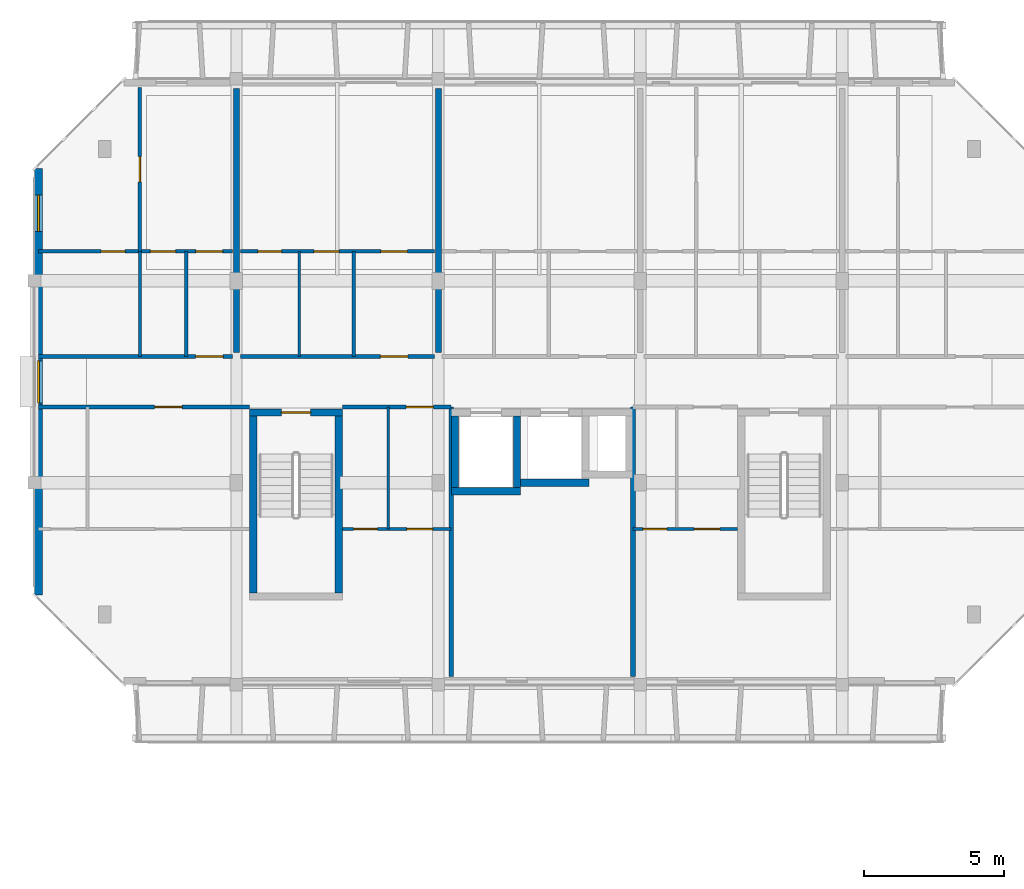
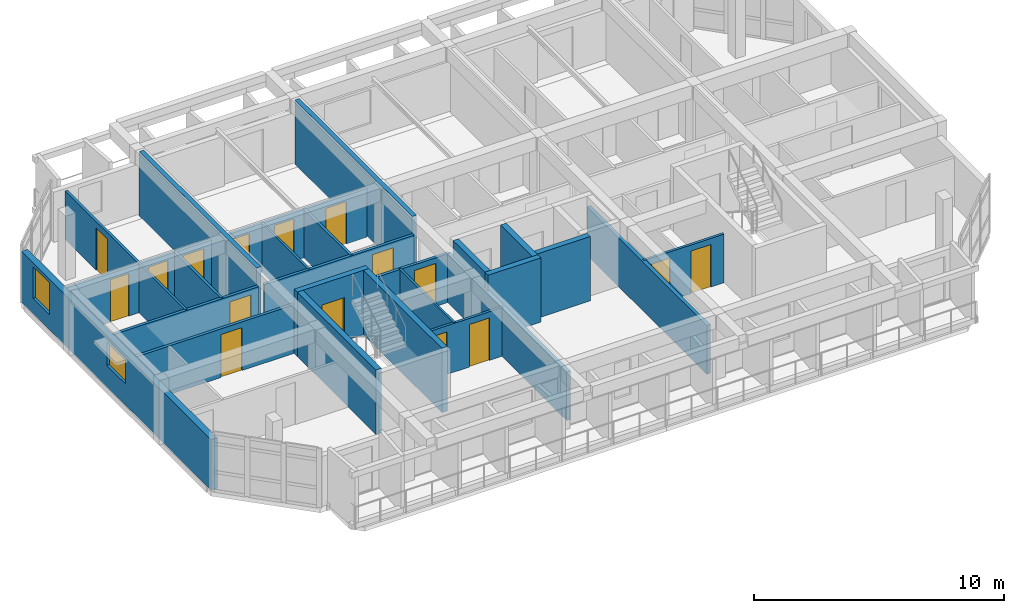
# One storey, part 22 of 43: 26 walls, 16 doors, 2 windows, 18 openings.
"""IFC4 building model written with IfcOpenShell, lengths in metres."""

from ifc_helpers import new_model, si_unit, direction, frame, frame_2d, origin, place, context, subcontext, project, spatial, rectangle, extrude, material, layer, layer_set, type_object, element, fill, save


model = new_model("IFC4")

# Units and contexts
model_context = context("Model", 3, precision=1e-05, world=origin(), true_north=direction((0.0, 1.0)))
body_context = subcontext(model_context, "Body", "Model", "MODEL_VIEW")
ifc_project = project(units=[si_unit("LENGTHUNIT", "METRE"), si_unit("AREAUNIT", "SQUARE_METRE"), si_unit("VOLUMEUNIT", "CUBIC_METRE"), si_unit("PLANEANGLEUNIT", "RADIAN"), si_unit("MASSUNIT", "GRAM", prefix="KILO")], contexts=[model_context])

# Site, building, storey
site_placement = place(None, origin())
site = spatial("IfcSite", under=ifc_project, at=site_placement, CompositionType="ELEMENT")
building_placement = place(site_placement, origin())
building = spatial("IfcBuilding", under=site, at=building_placement, Name="Ochrevale Crest", CompositionType="ELEMENT")
storey_placement = place(building_placement, frame((0.0, 0.0, 30.75)))
storey = spatial("IfcBuildingStorey", under=building, at=storey_placement, Name="L09", CompositionType="ELEMENT", Elevation=30.75)

# Wall, opening, door
ifc_material_1 = material(Name="Gypsum plasterboard", Category="gypsum")
ifc_layer_1 = layer(ifc_material_1, 0.139892578125)
ifc_layer_set_1 = layer_set([ifc_layer_1], Name="Gypsum plasterboard")
wall_type_1 = type_object("IfcWallType", Name="WL-COR-140", PredefinedType="PARTITIONING", material=ifc_layer_set_1)
wall_1_placement = place(storey_placement, frame((0.139892578125, 83.699951171875, 0.0), z_axis=(0.0, 0.0, 1.0), x_axis=(1.0, 0.0, 0.0)))
wall_1 = element("IfcWall", 1, at=wall_1_placement, inside=storey, type_object=wall_type_1, Name="Apartment B-L09-U1 corridor wall", PredefinedType="PARTITIONING", context=body_context, shape_type="SweptSolid", body=[
    extrude(rectangle(XDim=6.920166015625, YDim=0.139892578125, at=frame_2d((3.4599609375, 0.0))), origin(), (0.0, 0.0, 1.0), 2.3798828125),
])
opening_1_placement = place(wall_1_placement, frame((5.60498046875, 0.0, 0.0)))
opening_1 = element("IfcOpeningElement", 2, at=opening_1_placement, cuts=wall_1, Name="Opening FD01", PredefinedType="OPENING", context=body_context, shape_type="SweptSolid", body=[
    extrude(rectangle(XDim=0.97998046875, YDim=2.10009765625, at=frame_2d((0.489990234375, 1.050048828125))), frame((0.0, 0.080078125, 0.0), z_axis=(0.0, -1.0, 0.0), x_axis=(1.0, 0.0, 0.0)), (0.0, 0.0, 1.0), 0.159912109375),
])
ifc_material_2 = material(Name="Solid-core FSC hardwood", Category="wood")
door_type_1 = type_object("IfcDoorType", Name="DR-APT-950", OperationType="NOTDEFINED", PredefinedType="DOOR", material=ifc_material_2)
door_1_placement = place(opening_1_placement, origin())
door_1 = element("IfcDoor", 3, at=door_1_placement, inside=storey, type_object=door_type_1, Name="Apartment B-L09-U1 entrance door", OperationType="SINGLE_SWING_LEFT", OverallHeight=2.10009765625, OverallWidth=0.97998046875, PredefinedType="DOOR", context=body_context, shape_type="SweptSolid", body=[
    extrude(rectangle(XDim=0.97998046875, YDim=2.10009765625, at=frame_2d((0.489990234375, 1.050048828125))), frame((0.0, 0.02490234375, 0.0), z_axis=(0.0, -1.0, 0.0), x_axis=(1.0, 0.0, 0.0)), (0.0, 0.0, 1.0), 0.050048828125),
])
fill(opening_1, door_1)

wall_2_placement = place(storey_placement, frame((7.340087890625, 83.699951171875, 0.0), z_axis=(0.0, 0.0, 1.0), x_axis=(1.0, 0.0, 0.0)))
wall_2 = element("IfcWall", 4, at=wall_2_placement, inside=storey, type_object=wall_type_1, Name="Apartment B-L09-U2 corridor wall", PredefinedType="PARTITIONING", context=body_context, shape_type="SweptSolid", body=[
    extrude(rectangle(XDim=6.919921875, YDim=0.139892578125, at=frame_2d((3.4599609375, 0.0))), origin(), (0.0, 0.0, 1.0), 2.3798828125),
])
opening_2_placement = place(wall_2_placement, frame((5.97509765625, 0.0, 0.0), z_axis=(0.0, 0.0, 1.0), x_axis=(-1.0, 0.0, 0.0)))
opening_2 = element("IfcOpeningElement", 5, at=opening_2_placement, cuts=wall_2, Name="Opening FD01", PredefinedType="OPENING", context=body_context, shape_type="SweptSolid", body=[
    extrude(rectangle(XDim=0.97998046875, YDim=2.10009765625, at=frame_2d((0.489990234375, 1.050048828125))), frame((0.0, 0.080078125, 0.0), z_axis=(0.0, -1.0, 0.0), x_axis=(1.0, 0.0, 0.0)), (0.0, 0.0, 1.0), 0.159912109375),
])
door_2_placement = place(opening_2_placement, origin())
door_2 = element("IfcDoor", 6, at=door_2_placement, inside=storey, type_object=door_type_1, Name="Apartment B-L09-U2 entrance door", OperationType="SINGLE_SWING_RIGHT", OverallHeight=2.10009765625, OverallWidth=0.97998046875, PredefinedType="DOOR", context=body_context, shape_type="SweptSolid", body=[
    extrude(rectangle(XDim=0.97998046875, YDim=2.10009765625, at=frame_2d((0.489990234375, 1.050048828125))), frame((0.0, 0.02490234375, 0.0), z_axis=(0.0, -1.0, 0.0), x_axis=(1.0, 0.0, 0.0)), (0.0, 0.0, 1.0), 0.050048828125),
])
fill(opening_2, door_2)

wall_3_placement = place(storey_placement, frame((0.139892578125, 81.89990234375, 0.0), z_axis=(0.0, 0.0, 1.0), x_axis=(1.0, 0.0, 0.0)))
wall_3 = element("IfcWall", 7, at=wall_3_placement, inside=storey, type_object=wall_type_1, Name="Suite B-L09-CW corridor wall", PredefinedType="PARTITIONING", context=body_context, shape_type="SweptSolid", body=[
    extrude(rectangle(XDim=7.52001953125, YDim=0.139892578125, at=frame_2d((3.760009765625, 0.0))), origin(), (0.0, 0.0, 1.0), 2.3798828125),
])
opening_3_placement = place(wall_3_placement, frame((5.125, 0.0, 0.0), z_axis=(0.0, 0.0, 1.0), x_axis=(-1.0, 0.0, 0.0)))
opening_3 = element("IfcOpeningElement", 8, at=opening_3_placement, cuts=wall_3, Name="Opening FD01", PredefinedType="OPENING", context=body_context, shape_type="SweptSolid", body=[
    extrude(rectangle(XDim=0.97998046875, YDim=2.10009765625, at=frame_2d((0.489990234375, 1.050048828125))), frame((0.0, 0.080078125, 0.0), z_axis=(0.0, -1.0, 0.0), x_axis=(1.0, 0.0, 0.0)), (0.0, 0.0, 1.0), 0.159912109375),
])
door_3_placement = place(opening_3_placement, origin())
door_3 = element("IfcDoor", 9, at=door_3_placement, inside=storey, type_object=door_type_1, Name="Suite B-L09-CW entrance door", OperationType="SINGLE_SWING_RIGHT", OverallHeight=2.10009765625, OverallWidth=0.97998046875, PredefinedType="DOOR", context=body_context, shape_type="SweptSolid", body=[
    extrude(rectangle(XDim=0.97998046875, YDim=2.10009765625, at=frame_2d((0.489990234375, 1.050048828125))), frame((0.0, 0.02490234375, 0.0), z_axis=(0.0, -1.0, 0.0), x_axis=(1.0, 0.0, 0.0)), (0.0, 0.0, 1.0), 0.050048828125),
])
fill(opening_3, door_3)

wall_4_placement = place(storey_placement, frame((10.989990234375, 81.89990234375, 0.0), z_axis=(0.0, 0.0, 1.0), x_axis=(1.0, 0.0, 0.0)))
wall_4 = element("IfcWall", 10, at=wall_4_placement, inside=storey, type_object=wall_type_1, Name="Suite B-L09-MW corridor wall", PredefinedType="PARTITIONING", context=body_context, shape_type="SweptSolid", body=[
    extrude(rectangle(XDim=3.8701171875, YDim=0.139892578125, at=frame_2d((1.93505859375, 0.0))), origin(), (0.0, 0.0, 1.0), 2.3798828125),
])
opening_4_placement = place(wall_4_placement, frame((2.2578125, 0.0, 0.0)))
opening_4 = element("IfcOpeningElement", 11, at=opening_4_placement, cuts=wall_4, Name="Opening FD01", PredefinedType="OPENING", context=body_context, shape_type="SweptSolid", body=[
    extrude(rectangle(XDim=0.97998046875, YDim=2.10009765625, at=frame_2d((0.489990234375, 1.050048828125))), frame((0.0, 0.080078125, 0.0), z_axis=(0.0, -1.0, 0.0), x_axis=(1.0, 0.0, 0.0)), (0.0, 0.0, 1.0), 0.159912109375),
])
door_4_placement = place(opening_4_placement, origin())
door_4 = element("IfcDoor", 12, at=door_4_placement, inside=storey, type_object=door_type_1, Name="Suite B-L09-MW entrance door", OperationType="SINGLE_SWING_LEFT", OverallHeight=2.10009765625, OverallWidth=0.97998046875, PredefinedType="DOOR", context=body_context, shape_type="SweptSolid", body=[
    extrude(rectangle(XDim=0.97998046875, YDim=2.10009765625, at=frame_2d((0.489990234375, 1.050048828125))), frame((0.0, 0.02490234375, 0.0), z_axis=(0.0, -1.0, 0.0), x_axis=(1.0, 0.0, 0.0)), (0.0, 0.0, 1.0), 0.050048828125),
])
fill(opening_4, door_4)

ifc_material_3 = material(Name="Precast concrete C50/60", Category="concrete")
ifc_layer_2 = layer(ifc_material_3, 0.2548828125)
ifc_layer_set_2 = layer_set([ifc_layer_2], Name="Precast concrete C50/60")
wall_type_2 = type_object("IfcWallType", Name="WL-CORE-255", PredefinedType="SHEAR", material=ifc_layer_set_2)
wall_5_placement = place(storey_placement, frame((7.672607421875, 81.699951171875, 0.0), z_axis=(0.0, 0.0, 1.0), x_axis=(1.0, 0.0, 0.0)))
wall_5 = element("IfcWall", 13, at=wall_5_placement, inside=storey, type_object=wall_type_2, Name="Block B L09 Stair 1 precast core shear wall N", PredefinedType="SHEAR", context=body_context, shape_type="SweptSolid", body=[
    extrude(rectangle(XDim=3.304931640625, YDim=0.2548828125, at=frame_2d((1.65234375, 0.0))), origin(), (0.0, 0.0, 1.0), 3.14990234375),
])
opening_5_placement = place(wall_5_placement, frame((2.177490234375, 0.0, 0.0), z_axis=(0.0, 0.0, 1.0), x_axis=(-1.0, 0.0, 0.0)))
opening_5 = element("IfcOpeningElement", 14, at=opening_5_placement, cuts=wall_5, Name="Opening FD03", PredefinedType="OPENING", context=body_context, shape_type="SweptSolid", body=[
    extrude(rectangle(XDim=1.050048828125, YDim=2.1201171875, at=frame_2d((0.52490234375, 1.06005859375))), frame((0.0, 0.137451171875, 0.0), z_axis=(0.0, -1.0, 0.0), x_axis=(1.0, 0.0, 0.0)), (0.0, 0.0, 1.0), 0.27490234375),
])
door_type_2 = type_object("IfcDoorType", Name="DR-ST-1050", OperationType="NOTDEFINED", PredefinedType="DOOR", material=ifc_material_2)
door_5_placement = place(opening_5_placement, origin())
door_5 = element("IfcDoor", 15, at=door_5_placement, inside=storey, type_object=door_type_2, Name="Block B L09 fire stair 1 door", OperationType="SINGLE_SWING_RIGHT", OverallHeight=2.1201171875, OverallWidth=1.050048828125, PredefinedType="DOOR", context=body_context, shape_type="SweptSolid", body=[
    extrude(rectangle(XDim=1.050048828125, YDim=2.1201171875, at=frame_2d((0.52490234375, 1.06005859375))), frame((0.0, 0.02490234375, 0.0), z_axis=(0.0, -1.0, 0.0), x_axis=(1.0, 0.0, 0.0)), (0.0, 0.0, 1.0), 0.050048828125),
])
fill(opening_5, door_5)

# Walls
for number, where, z_axis, x_axis, name in (
    (16, (7.800048828125, 75.277587890625, 0.0), (0.0, 0.0, 1.0), (0.0, 1.0, 0.0), "Block B L09 Stair 1 precast core shear wall W"),
    (17, (10.85009765625, 75.277587890625, 0.0), (0.0, 0.0, 1.0), (0.0, 1.0, 0.0), "Block B L09 Stair 1 precast core shear wall E"),
):
    element("IfcWall", number, at=place(storey_placement, frame(where, z_axis=z_axis, x_axis=x_axis)), inside=storey, type_object=wall_type_2, Name=name, PredefinedType="SHEAR", context=body_context, shape_type="SweptSolid", body=[
        extrude(rectangle(XDim=6.294921875, YDim=0.2548828125, at=frame_2d((3.1474609375, 0.0))), origin(), (0.0, 0.0, 1.0), 3.14990234375),
    ])
wall_6_placement = place(storey_placement, frame((14.87255859375, 78.89990234375, 0.0), z_axis=(0.0, 0.0, 1.0), x_axis=(1.0, 0.0, 0.0)))
element("IfcWall", 18, at=wall_6_placement, inside=storey, type_object=wall_type_2, Name="Block B L09 Lift 1 precast shaft shear wall S", PredefinedType="SHEAR", context=body_context, shape_type="SweptSolid", body=[
    extrude(rectangle(XDim=2.454833984375, YDim=0.2548828125, at=frame_2d((1.2275390625, 0.0))), origin(), (0.0, 0.0, 1.0), 3.14990234375),
])
for number, where, z_axis, x_axis, name in (
    (19, (15.0, 79.027587890625, 0.0), (0.0, 0.0, 1.0), (0.0, 1.0, 0.0), "Block B L09 Lift 1 precast shaft shear wall W"),
    (20, (17.199951171875, 79.027587890625, 0.0), (0.0, 0.0, 1.0), (0.0, 1.0, 0.0), "Block B L09 Lift 1 precast shaft shear wall E"),
):
    element("IfcWall", number, at=place(storey_placement, frame(where, z_axis=z_axis, x_axis=x_axis)), inside=storey, type_object=wall_type_2, Name=name, PredefinedType="SHEAR", context=body_context, shape_type="SweptSolid", body=[
        extrude(rectangle(XDim=2.544921875, YDim=0.2548828125, at=frame_2d((1.2724609375, 0.0))), origin(), (0.0, 0.0, 1.0), 3.14990234375),
    ])
wall_7_placement = place(storey_placement, frame((17.322509765625, 79.199951171875, 0.0), z_axis=(0.0, 0.0, 1.0), x_axis=(1.0, 0.0, 0.0)))
element("IfcWall", 21, at=wall_7_placement, inside=storey, type_object=wall_type_2, Name="Block B L09 Lift 2 precast shaft shear wall S", PredefinedType="SHEAR", context=body_context, shape_type="SweptSolid", body=[
    extrude(rectangle(XDim=2.455078125, YDim=0.2548828125, at=frame_2d((1.2275390625, 0.0))), origin(), (0.0, 0.0, 1.0), 3.14990234375),
])

# Wall, openings, windows
ifc_material_4 = material(Name="Clay face brickwork", Category="masonry")
ifc_layer_3 = layer(ifc_material_4, 0.2900390625)
ifc_layer_set_3 = layer_set([ifc_layer_3], Name="Clay face brickwork")
wall_type_3 = type_object("IfcWallType", Name="WL-EXT-BRICK-290", PredefinedType="SOLIDWALL", material=ifc_layer_set_3)
wall_8_placement = place(storey_placement, frame((0.14501953125, 90.39990234375, 0.0), z_axis=(0.0, 0.0, 1.0), x_axis=(0.0, -1.0, 0.0)))
wall_8 = element("IfcWall", 22, at=wall_8_placement, inside=storey, type_object=wall_type_3, Name="Block B L09 external facade wall E7", PredefinedType="SOLIDWALL", context=body_context, shape_type="SweptSolid", body=[
    extrude(rectangle(XDim=15.199951171875, YDim=0.2900390625, at=frame_2d((7.60009765625, 0.0))), origin(), (0.0, 0.0, 1.0), 2.47998046875),
])
opening_6_placement = place(wall_8_placement, frame((6.85009765625, 0.0, 1.050048828125)))
opening_6 = element("IfcOpeningElement", 23, at=opening_6_placement, cuts=wall_8, Name="Opening W18", PredefinedType="OPENING", context=body_context, shape_type="SweptSolid", body=[
    extrude(rectangle(XDim=1.5, YDim=1.14990234375, at=frame_2d((0.75, 0.574951171875))), frame((0.0, 0.155029296875, 0.0), z_axis=(0.0, -1.0, 0.0), x_axis=(1.0, 0.0, 0.0)), (0.0, 0.0, 1.0), 0.31005859375),
])
opening_7_placement = place(wall_8_placement, frame((0.93994140625, 0.0, 0.75)))
opening_7 = element("IfcOpeningElement", 24, at=opening_7_placement, cuts=wall_8, Name="Opening W30", PredefinedType="OPENING", context=body_context, shape_type="SweptSolid", body=[
    extrude(rectangle(XDim=1.300048828125, YDim=1.550048828125, at=frame_2d((0.64990234375, 0.77490234375))), frame((0.0, 0.155029296875, 0.0), z_axis=(0.0, -1.0, 0.0), x_axis=(1.0, 0.0, 0.0)), (0.0, 0.0, 1.0), 0.31005859375),
])
ifc_material_5 = material(Name="Anodised aluminium 6063-T5 and low-E double glazing", Category="aluminium")
window_type_1 = type_object("IfcWindowType", Name="WIN-W18", PartitioningType="SINGLE_PANEL", PredefinedType="WINDOW", material=ifc_material_5)
window_1_placement = place(opening_6_placement, origin())
window_1 = element("IfcWindow", 25, at=window_1_placement, inside=storey, type_object=window_type_1, Name="Block B L09 corridor end daylight window W", OverallHeight=1.14990234375, OverallWidth=1.5, PartitioningType="SINGLE_PANEL", PredefinedType="WINDOW", context=body_context, shape_type="SweptSolid", body=[
    extrude(rectangle(XDim=1.5, YDim=1.14990234375, at=frame_2d((0.75, 0.574951171875))), frame((0.0, 0.030029296875, 0.0), z_axis=(0.0, -1.0, 0.0), x_axis=(1.0, 0.0, 0.0)), (0.0, 0.0, 1.0), 0.06005859375),
])
fill(opening_6, window_1)
window_type_2 = type_object("IfcWindowType", Name="WIN-W30", PartitioningType="SINGLE_PANEL", PredefinedType="WINDOW", material=ifc_material_5)
window_2_placement = place(opening_7_placement, origin())
window_2 = element("IfcWindow", 26, at=window_2_placement, inside=storey, type_object=window_type_2, Name="Block B L09 side suite window W", OverallHeight=1.550048828125, OverallWidth=1.300048828125, PartitioningType="SINGLE_PANEL", PredefinedType="WINDOW", context=body_context, shape_type="SweptSolid", body=[
    extrude(rectangle(XDim=1.300048828125, YDim=1.550048828125, at=frame_2d((0.64990234375, 0.77490234375))), frame((0.0, 0.030029296875, 0.0), z_axis=(0.0, -1.0, 0.0), x_axis=(1.0, 0.0, 0.0)), (0.0, 0.0, 1.0), 0.06005859375),
])
fill(opening_7, window_2)

# Wall
ifc_layer_4 = layer(ifc_material_1, 0.1201171875)
ifc_layer_set_4 = layer_set([ifc_layer_4], Name="Gypsum plasterboard")
wall_type_4 = type_object("IfcWallType", Name="WL-PART-120", PredefinedType="PARTITIONING", material=ifc_layer_set_4)
wall_9_placement = place(storey_placement, frame((5.409912109375, 83.699951171875, 0.0), z_axis=(0.0, 0.0, 1.0), x_axis=(0.0, 1.0, 0.0)))
element("IfcWall", 27, at=wall_9_placement, inside=storey, type_object=wall_type_4, Name="Apartment B-L09-U1 kitchen-foyer wall", PredefinedType="PARTITIONING", context=body_context, shape_type="SweptSolid", body=[
    extrude(rectangle(XDim=3.75, YDim=0.1201171875, at=frame_2d((1.875, 0.0))), origin(), (0.0, 0.0, 1.0), 2.3798828125),
])

# Wall, openings, doors
wall_10_placement = place(storey_placement, frame((0.139892578125, 87.449951171875, 0.0), z_axis=(0.0, 0.0, 1.0), x_axis=(1.0, 0.0, 0.0)))
wall_10 = element("IfcWall", 28, at=wall_10_placement, inside=storey, type_object=wall_type_4, Name="Apartment B-L09-U1 central partition", PredefinedType="PARTITIONING", context=body_context, shape_type="SweptSolid", body=[
    extrude(rectangle(XDim=6.920166015625, YDim=0.1201171875, at=frame_2d((3.4599609375, 0.0))), origin(), (0.0, 0.0, 1.0), 2.3798828125),
])
opening_8_placement = place(wall_10_placement, frame((3.090087890625, 0.0, 0.0), z_axis=(0.0, 0.0, 1.0), x_axis=(-1.0, 0.0, 0.0)))
opening_8 = element("IfcOpeningElement", 29, at=opening_8_placement, cuts=wall_10, Name="Opening ID01", PredefinedType="OPENING", context=body_context, shape_type="SweptSolid", body=[
    extrude(rectangle(XDim=0.85009765625, YDim=2.080078125, at=frame_2d((0.425048828125, 1.0400390625))), frame((0.0, 0.070068359375, 0.0), z_axis=(0.0, -1.0, 0.0), x_axis=(1.0, 0.0, 0.0)), (0.0, 0.0, 1.0), 0.14013671875),
])
opening_9_placement = place(wall_10_placement, frame((3.9951171875, 0.0, 0.0)))
opening_9 = element("IfcOpeningElement", 30, at=opening_9_placement, cuts=wall_10, Name="Opening ID02", PredefinedType="OPENING", context=body_context, shape_type="SweptSolid", body=[
    extrude(rectangle(XDim=0.89990234375, YDim=2.080078125, at=frame_2d((0.449951171875, 1.0400390625))), frame((0.0, 0.070068359375, 0.0), z_axis=(0.0, -1.0, 0.0), x_axis=(1.0, 0.0, 0.0)), (0.0, 0.0, 1.0), 0.14013671875),
])
opening_10_placement = place(wall_10_placement, frame((6.570068359375, 0.0, 0.0), z_axis=(0.0, 0.0, 1.0), x_axis=(-1.0, 0.0, 0.0)))
opening_10 = element("IfcOpeningElement", 31, at=opening_10_placement, cuts=wall_10, Name="Opening ID06", PredefinedType="OPENING", context=body_context, shape_type="SweptSolid", body=[
    extrude(rectangle(XDim=0.949951171875, YDim=2.080078125, at=frame_2d((0.47509765625, 1.0400390625))), frame((0.0, 0.070068359375, 0.0), z_axis=(0.0, -1.0, 0.0), x_axis=(1.0, 0.0, 0.0)), (0.0, 0.0, 1.0), 0.14013671875),
])
door_type_3 = type_object("IfcDoorType", Name="DR-INT-900", OperationType="NOTDEFINED", PredefinedType="DOOR", material=ifc_material_2)
door_6_placement = place(opening_9_placement, origin())
door_6 = element("IfcDoor", 32, at=door_6_placement, inside=storey, type_object=door_type_3, Name="Apartment B-L09-U1 Kitchen door", OperationType="SINGLE_SWING_LEFT", OverallHeight=2.080078125, OverallWidth=0.89990234375, PredefinedType="DOOR", context=body_context, shape_type="SweptSolid", body=[
    extrude(rectangle(XDim=0.89990234375, YDim=2.080078125, at=frame_2d((0.449951171875, 1.0400390625))), frame((0.0, 0.02490234375, 0.0), z_axis=(0.0, -1.0, 0.0), x_axis=(1.0, 0.0, 0.0)), (0.0, 0.0, 1.0), 0.050048828125),
])
fill(opening_9, door_6)
door_type_4 = type_object("IfcDoorType", Name="DR-INT-950", OperationType="NOTDEFINED", PredefinedType="DOOR", material=ifc_material_2)
door_7_placement = place(opening_10_placement, origin())
door_7 = element("IfcDoor", 33, at=door_7_placement, inside=storey, type_object=door_type_4, Name="Apartment B-L09-U1 Living Foyer door", OperationType="SINGLE_SWING_RIGHT", OverallHeight=2.080078125, OverallWidth=0.949951171875, PredefinedType="DOOR", context=body_context, shape_type="SweptSolid", body=[
    extrude(rectangle(XDim=0.949951171875, YDim=2.080078125, at=frame_2d((0.47509765625, 1.0400390625))), frame((0.0, 0.02490234375, 0.0), z_axis=(0.0, -1.0, 0.0), x_axis=(1.0, 0.0, 0.0)), (0.0, 0.0, 1.0), 0.050048828125),
])
fill(opening_10, door_7)
door_type_5 = type_object("IfcDoorType", Name="DR-WC-850", OperationType="NOTDEFINED", PredefinedType="DOOR", material=ifc_material_2)
door_8_placement = place(opening_8_placement, origin())
door_8 = element("IfcDoor", 34, at=door_8_placement, inside=storey, type_object=door_type_5, Name="Apartment B-L09-U1 Bathroom door", OperationType="SINGLE_SWING_RIGHT", OverallHeight=2.080078125, OverallWidth=0.85009765625, PredefinedType="DOOR", context=body_context, shape_type="SweptSolid", body=[
    extrude(rectangle(XDim=0.85009765625, YDim=2.080078125, at=frame_2d((0.425048828125, 1.0400390625))), frame((0.0, 0.02490234375, 0.0), z_axis=(0.0, -1.0, 0.0), x_axis=(1.0, 0.0, 0.0)), (0.0, 0.0, 1.0), 0.050048828125),
])
fill(opening_8, door_8)

# Wall, opening, door
wall_11_placement = place(storey_placement, frame((3.760009765625, 87.449951171875, 0.0), z_axis=(0.0, 0.0, 1.0), x_axis=(0.0, 1.0, 0.0)))
wall_11 = element("IfcWall", 35, at=wall_11_placement, inside=storey, type_object=wall_type_4, Name="Apartment B-L09-U1 bedroom partition", PredefinedType="PARTITIONING", context=body_context, shape_type="SweptSolid", body=[
    extrude(rectangle(XDim=5.85009765625, YDim=0.1201171875, at=frame_2d((2.925048828125, 0.0))), origin(), (0.0, 0.0, 1.0), 2.3798828125),
])
opening_11_placement = place(wall_11_placement, frame((2.47509765625, 0.0, 0.0)))
opening_11 = element("IfcOpeningElement", 36, at=opening_11_placement, cuts=wall_11, Name="Opening ID02", PredefinedType="OPENING", context=body_context, shape_type="SweptSolid", body=[
    extrude(rectangle(XDim=0.89990234375, YDim=2.080078125, at=frame_2d((0.449951171875, 1.0400390625))), frame((0.0, 0.070068359375, 0.0), z_axis=(0.0, -1.0, 0.0), x_axis=(1.0, 0.0, 0.0)), (0.0, 0.0, 1.0), 0.14013671875),
])
door_9_placement = place(opening_11_placement, origin())
door_9 = element("IfcDoor", 37, at=door_9_placement, inside=storey, type_object=door_type_3, Name="Apartment B-L09-U1 Master Bedroom door", OperationType="SINGLE_SWING_LEFT", OverallHeight=2.080078125, OverallWidth=0.89990234375, PredefinedType="DOOR", context=body_context, shape_type="SweptSolid", body=[
    extrude(rectangle(XDim=0.89990234375, YDim=2.080078125, at=frame_2d((0.449951171875, 1.0400390625))), frame((0.0, 0.02490234375, 0.0), z_axis=(0.0, -1.0, 0.0), x_axis=(1.0, 0.0, 0.0)), (0.0, 0.0, 1.0), 0.050048828125),
])
fill(opening_11, door_9)

# Wall
wall_12_placement = place(storey_placement, frame((11.389892578125, 83.699951171875, 0.0), z_axis=(0.0, 0.0, 1.0), x_axis=(0.0, 1.0, 0.0)))
element("IfcWall", 38, at=wall_12_placement, inside=storey, type_object=wall_type_4, Name="Apartment B-L09-U2 kitchen-foyer wall", PredefinedType="PARTITIONING", context=body_context, shape_type="SweptSolid", body=[
    extrude(rectangle(XDim=3.75, YDim=0.1201171875, at=frame_2d((1.875, 0.0))), origin(), (0.0, 0.0, 1.0), 2.3798828125),
])

# Wall, openings, doors
wall_13_placement = place(storey_placement, frame((7.340087890625, 87.449951171875, 0.0), z_axis=(0.0, 0.0, 1.0), x_axis=(1.0, 0.0, 0.0)))
wall_13 = element("IfcWall", 39, at=wall_13_placement, inside=storey, type_object=wall_type_4, Name="Apartment B-L09-U2 central partition", PredefinedType="PARTITIONING", context=body_context, shape_type="SweptSolid", body=[
    extrude(rectangle(XDim=6.919921875, YDim=0.1201171875, at=frame_2d((3.4599609375, 0.0))), origin(), (0.0, 0.0, 1.0), 2.3798828125),
])
opening_12_placement = place(wall_13_placement, frame((0.625, 0.0, 0.0)))
opening_12 = element("IfcOpeningElement", 40, at=opening_12_placement, cuts=wall_13, Name="Opening ID01", PredefinedType="OPENING", context=body_context, shape_type="SweptSolid", body=[
    extrude(rectangle(XDim=0.85009765625, YDim=2.080078125, at=frame_2d((0.425048828125, 1.0400390625))), frame((0.0, 0.070068359375, 0.0), z_axis=(0.0, -1.0, 0.0), x_axis=(1.0, 0.0, 0.0)), (0.0, 0.0, 1.0), 0.14013671875),
])
opening_13_placement = place(wall_13_placement, frame((3.52490234375, 0.0, 0.0), z_axis=(0.0, 0.0, 1.0), x_axis=(-1.0, 0.0, 0.0)))
opening_13 = element("IfcOpeningElement", 41, at=opening_13_placement, cuts=wall_13, Name="Opening ID02", PredefinedType="OPENING", context=body_context, shape_type="SweptSolid", body=[
    extrude(rectangle(XDim=0.89990234375, YDim=2.080078125, at=frame_2d((0.449951171875, 1.0400390625))), frame((0.0, 0.070068359375, 0.0), z_axis=(0.0, -1.0, 0.0), x_axis=(1.0, 0.0, 0.0)), (0.0, 0.0, 1.0), 0.14013671875),
])
opening_14_placement = place(wall_13_placement, frame((5.010009765625, 0.0, 0.0)))
opening_14 = element("IfcOpeningElement", 42, at=opening_14_placement, cuts=wall_13, Name="Opening ID06", PredefinedType="OPENING", context=body_context, shape_type="SweptSolid", body=[
    extrude(rectangle(XDim=0.949951171875, YDim=2.080078125, at=frame_2d((0.47509765625, 1.0400390625))), frame((0.0, 0.070068359375, 0.0), z_axis=(0.0, -1.0, 0.0), x_axis=(1.0, 0.0, 0.0)), (0.0, 0.0, 1.0), 0.14013671875),
])
door_10_placement = place(opening_13_placement, origin())
door_10 = element("IfcDoor", 43, at=door_10_placement, inside=storey, type_object=door_type_3, Name="Apartment B-L09-U2 Kitchen door", OperationType="SINGLE_SWING_RIGHT", OverallHeight=2.080078125, OverallWidth=0.89990234375, PredefinedType="DOOR", context=body_context, shape_type="SweptSolid", body=[
    extrude(rectangle(XDim=0.89990234375, YDim=2.080078125, at=frame_2d((0.449951171875, 1.0400390625))), frame((0.0, 0.02490234375, 0.0), z_axis=(0.0, -1.0, 0.0), x_axis=(1.0, 0.0, 0.0)), (0.0, 0.0, 1.0), 0.050048828125),
])
fill(opening_13, door_10)
door_11_placement = place(opening_14_placement, origin())
door_11 = element("IfcDoor", 44, at=door_11_placement, inside=storey, type_object=door_type_4, Name="Apartment B-L09-U2 Living Foyer door", OperationType="SINGLE_SWING_LEFT", OverallHeight=2.080078125, OverallWidth=0.949951171875, PredefinedType="DOOR", context=body_context, shape_type="SweptSolid", body=[
    extrude(rectangle(XDim=0.949951171875, YDim=2.080078125, at=frame_2d((0.47509765625, 1.0400390625))), frame((0.0, 0.02490234375, 0.0), z_axis=(0.0, -1.0, 0.0), x_axis=(1.0, 0.0, 0.0)), (0.0, 0.0, 1.0), 0.050048828125),
])
fill(opening_14, door_11)
door_12_placement = place(opening_12_placement, origin())
door_12 = element("IfcDoor", 45, at=door_12_placement, inside=storey, type_object=door_type_5, Name="Apartment B-L09-U2 Bathroom door", OperationType="SINGLE_SWING_LEFT", OverallHeight=2.080078125, OverallWidth=0.85009765625, PredefinedType="DOOR", context=body_context, shape_type="SweptSolid", body=[
    extrude(rectangle(XDim=0.85009765625, YDim=2.080078125, at=frame_2d((0.425048828125, 1.0400390625))), frame((0.0, 0.02490234375, 0.0), z_axis=(0.0, -1.0, 0.0), x_axis=(1.0, 0.0, 0.0)), (0.0, 0.0, 1.0), 0.050048828125),
])
fill(opening_12, door_12)

wall_14_placement = place(storey_placement, frame((10.989990234375, 77.550048828125, 0.0), z_axis=(0.0, 0.0, 1.0), x_axis=(1.0, 0.0, 0.0)))
wall_14 = element("IfcWall", 46, at=wall_14_placement, inside=storey, type_object=wall_type_4, Name="Suite B-L09-MW internal wall", PredefinedType="PARTITIONING", context=body_context, shape_type="SweptSolid", body=[
    extrude(rectangle(XDim=3.8701171875, YDim=0.1201171875, at=frame_2d((1.93505859375, 0.0))), origin(), (0.0, 0.0, 1.0), 2.3798828125),
])
opening_15_placement = place(wall_14_placement, frame((1.23779296875, 0.0, 0.0), z_axis=(0.0, 0.0, 1.0), x_axis=(-1.0, 0.0, 0.0)))
opening_15 = element("IfcOpeningElement", 47, at=opening_15_placement, cuts=wall_14, Name="Opening ID01", PredefinedType="OPENING", context=body_context, shape_type="SweptSolid", body=[
    extrude(rectangle(XDim=0.85009765625, YDim=2.080078125, at=frame_2d((0.425048828125, 1.0400390625))), frame((0.0, 0.070068359375, 0.0), z_axis=(0.0, -1.0, 0.0), x_axis=(1.0, 0.0, 0.0)), (0.0, 0.0, 1.0), 0.14013671875),
])
opening_16_placement = place(wall_14_placement, frame((2.28759765625, 0.0, 0.0)))
opening_16 = element("IfcOpeningElement", 48, at=opening_16_placement, cuts=wall_14, Name="Opening ID04", PredefinedType="OPENING", context=body_context, shape_type="SweptSolid", body=[
    extrude(rectangle(XDim=0.919921875, YDim=2.080078125, at=frame_2d((0.4599609375, 1.0400390625))), frame((0.0, 0.070068359375, 0.0), z_axis=(0.0, -1.0, 0.0), x_axis=(1.0, 0.0, 0.0)), (0.0, 0.0, 1.0), 0.14013671875),
])
door_type_6 = type_object("IfcDoorType", Name="DR-INT-920", OperationType="NOTDEFINED", PredefinedType="DOOR", material=ifc_material_2)
door_13_placement = place(opening_16_placement, origin())
door_13 = element("IfcDoor", 49, at=door_13_placement, inside=storey, type_object=door_type_6, Name="Suite B-L09-MW Courtyard Studio Living door", OperationType="SINGLE_SWING_LEFT", OverallHeight=2.080078125, OverallWidth=0.919921875, PredefinedType="DOOR", context=body_context, shape_type="SweptSolid", body=[
    extrude(rectangle(XDim=0.919921875, YDim=2.080078125, at=frame_2d((0.4599609375, 1.0400390625))), frame((0.0, 0.02490234375, 0.0), z_axis=(0.0, -1.0, 0.0), x_axis=(1.0, 0.0, 0.0)), (0.0, 0.0, 1.0), 0.050048828125),
])
fill(opening_16, door_13)
door_14_placement = place(opening_15_placement, origin())
door_14 = element("IfcDoor", 50, at=door_14_placement, inside=storey, type_object=door_type_5, Name="Suite B-L09-MW Bathroom door", OperationType="SINGLE_SWING_RIGHT", OverallHeight=2.080078125, OverallWidth=0.85009765625, PredefinedType="DOOR", context=body_context, shape_type="SweptSolid", body=[
    extrude(rectangle(XDim=0.85009765625, YDim=2.080078125, at=frame_2d((0.425048828125, 1.0400390625))), frame((0.0, 0.02490234375, 0.0), z_axis=(0.0, -1.0, 0.0), x_axis=(1.0, 0.0, 0.0)), (0.0, 0.0, 1.0), 0.050048828125),
])
fill(opening_15, door_14)

wall_15_placement = place(storey_placement, frame((21.340087890625, 77.550048828125, 0.0), z_axis=(0.0, 0.0, 1.0), x_axis=(1.0, 0.0, 0.0)))
wall_15 = element("IfcWall", 51, at=wall_15_placement, inside=storey, type_object=wall_type_4, Name="Suite B-L09-ME internal wall", PredefinedType="PARTITIONING", context=body_context, shape_type="SweptSolid", body=[
    extrude(rectangle(XDim=3.719970703125, YDim=0.1201171875, at=frame_2d((1.85986328125, 0.0))), origin(), (0.0, 0.0, 1.0), 2.3798828125),
])
opening_17_placement = place(wall_15_placement, frame((0.356201171875, 0.0, 0.0)))
opening_17 = element("IfcOpeningElement", 52, at=opening_17_placement, cuts=wall_15, Name="Opening ID01", PredefinedType="OPENING", context=body_context, shape_type="SweptSolid", body=[
    extrude(rectangle(XDim=0.85009765625, YDim=2.080078125, at=frame_2d((0.425048828125, 1.0400390625))), frame((0.0, 0.070068359375, 0.0), z_axis=(0.0, -1.0, 0.0), x_axis=(1.0, 0.0, 0.0)), (0.0, 0.0, 1.0), 0.14013671875),
])
opening_18_placement = place(wall_15_placement, frame((3.10107421875, 0.0, 0.0), z_axis=(0.0, 0.0, 1.0), x_axis=(-1.0, 0.0, 0.0)))
opening_18 = element("IfcOpeningElement", 53, at=opening_18_placement, cuts=wall_15, Name="Opening ID04", PredefinedType="OPENING", context=body_context, shape_type="SweptSolid", body=[
    extrude(rectangle(XDim=0.919921875, YDim=2.080078125, at=frame_2d((0.4599609375, 1.0400390625))), frame((0.0, 0.070068359375, 0.0), z_axis=(0.0, -1.0, 0.0), x_axis=(1.0, 0.0, 0.0)), (0.0, 0.0, 1.0), 0.14013671875),
])
door_15_placement = place(opening_18_placement, origin())
door_15 = element("IfcDoor", 54, at=door_15_placement, inside=storey, type_object=door_type_6, Name="Suite B-L09-ME Garden Alcove Studio door", OperationType="SINGLE_SWING_RIGHT", OverallHeight=2.080078125, OverallWidth=0.919921875, PredefinedType="DOOR", context=body_context, shape_type="SweptSolid", body=[
    extrude(rectangle(XDim=0.919921875, YDim=2.080078125, at=frame_2d((0.4599609375, 1.0400390625))), frame((0.0, 0.02490234375, 0.0), z_axis=(0.0, -1.0, 0.0), x_axis=(1.0, 0.0, 0.0)), (0.0, 0.0, 1.0), 0.050048828125),
])
fill(opening_18, door_15)
door_16_placement = place(opening_17_placement, origin())
door_16 = element("IfcDoor", 55, at=door_16_placement, inside=storey, type_object=door_type_5, Name="Suite B-L09-ME Bathroom door", OperationType="SINGLE_SWING_LEFT", OverallHeight=2.080078125, OverallWidth=0.85009765625, PredefinedType="DOOR", context=body_context, shape_type="SweptSolid", body=[
    extrude(rectangle(XDim=0.85009765625, YDim=2.080078125, at=frame_2d((0.425048828125, 1.0400390625))), frame((0.0, 0.02490234375, 0.0), z_axis=(0.0, -1.0, 0.0), x_axis=(1.0, 0.0, 0.0)), (0.0, 0.0, 1.0), 0.050048828125),
])
fill(opening_17, door_16)

# Walls
ifc_material_6 = material(Name="Precast concrete C40/50", Category="concrete")
ifc_layer_5 = layer(ifc_material_6, 0.2099609375)
ifc_layer_set_5 = layer_set([ifc_layer_5], Name="Precast concrete C40/50")
wall_type_5 = type_object("IfcWallType", Name="WL-SHEAR-210", PredefinedType="SHEAR", material=ifc_layer_set_5)
for number, where, z_axis, x_axis, name in (
    (56, (7.199951171875, 83.85009765625, 0.0), (0.0, 0.0, 1.0), (0.0, 1.0, 0.0), "Block B L09 load-bearing precast cross-wall X=7.2"),
    (57, (14.39990234375, 83.85009765625, 0.0), (0.0, 0.0, 1.0), (0.0, 1.0, 0.0), "Block B L09 load-bearing precast cross-wall X=14.4"),
):
    element("IfcWall", number, at=place(storey_placement, frame(where, z_axis=z_axis, x_axis=x_axis)), inside=storey, type_object=wall_type_5, Name=name, PredefinedType="SHEAR", context=body_context, shape_type="SweptSolid", body=[
        extrude(rectangle(XDim=9.39990234375, YDim=0.2099609375, at=frame_2d((4.699951171875, 0.0))), origin(), (0.0, 0.0, 1.0), 3.14990234375),
    ])
ifc_layer_6 = layer(ifc_material_1, 0.169921875)
ifc_layer_set_6 = layer_set([ifc_layer_6], Name="Gypsum plasterboard")
wall_type_6 = type_object("IfcWallType", Name="WL-TEN-170", PredefinedType="PARTITIONING", material=ifc_layer_set_6)
for number, where, z_axis, x_axis, name in (
    (58, (14.860107421875, 72.300048828125, 0.0), (0.0, 0.0, 1.0), (0.0, 1.0, 0.0), "Suite B-L09-MW east party wall"),
    (59, (21.340087890625, 72.300048828125, 0.0), (0.0, 0.0, 1.0), (0.0, 1.0, 0.0), "Suite B-L09-ME west party wall"),
):
    element("IfcWall", number, at=place(storey_placement, frame(where, z_axis=z_axis, x_axis=x_axis)), inside=storey, type_object=wall_type_6, Name=name, PredefinedType="PARTITIONING", context=body_context, shape_type="SweptSolid", body=[
        extrude(rectangle(XDim=9.599853515625, YDim=0.169921875, at=frame_2d((4.7998046875, 0.0))), origin(), (0.0, 0.0, 1.0), 2.3798828125),
    ])
ifc_layer_7 = layer(ifc_material_1, 0.10009765625)
ifc_layer_set_7 = layer_set([ifc_layer_7], Name="Gypsum plasterboard")
wall_type_7 = type_object("IfcWallType", Name="WL-WET-100", PredefinedType="PARTITIONING", material=ifc_layer_set_7)
for number, where, z_axis, x_axis, name in (
    (60, (3.760009765625, 83.699951171875, 0.0), (0.0, 0.0, 1.0), (0.0, 1.0, 0.0), "Apartment B-L09-U1 bath-kitchen wall"),
    (61, (9.43994140625, 83.699951171875, 0.0), (0.0, 0.0, 1.0), (0.0, 1.0, 0.0), "Apartment B-L09-U2 bath-kitchen wall"),
):
    element("IfcWall", number, at=place(storey_placement, frame(where, z_axis=z_axis, x_axis=x_axis)), inside=storey, type_object=wall_type_7, Name=name, PredefinedType="PARTITIONING", context=body_context, shape_type="SweptSolid", body=[
        extrude(rectangle(XDim=3.75, YDim=0.10009765625, at=frame_2d((1.875, 0.0))), origin(), (0.0, 0.0, 1.0), 2.3798828125),
    ])
wall_16_placement = place(storey_placement, frame((12.615478515625, 77.550048828125, 0.0), z_axis=(0.0, 0.0, 1.0), x_axis=(0.0, 1.0, 0.0)))
element("IfcWall", 62, at=wall_16_placement, inside=storey, type_object=wall_type_7, Name="Suite B-L09-MW bathroom divider", PredefinedType="PARTITIONING", context=body_context, shape_type="SweptSolid", body=[
    extrude(rectangle(XDim=4.349853515625, YDim=0.10009765625, at=frame_2d((2.1748046875, 0.0))), origin(), (0.0, 0.0, 1.0), 2.3798828125),
])

save(model, "model.ifc")
